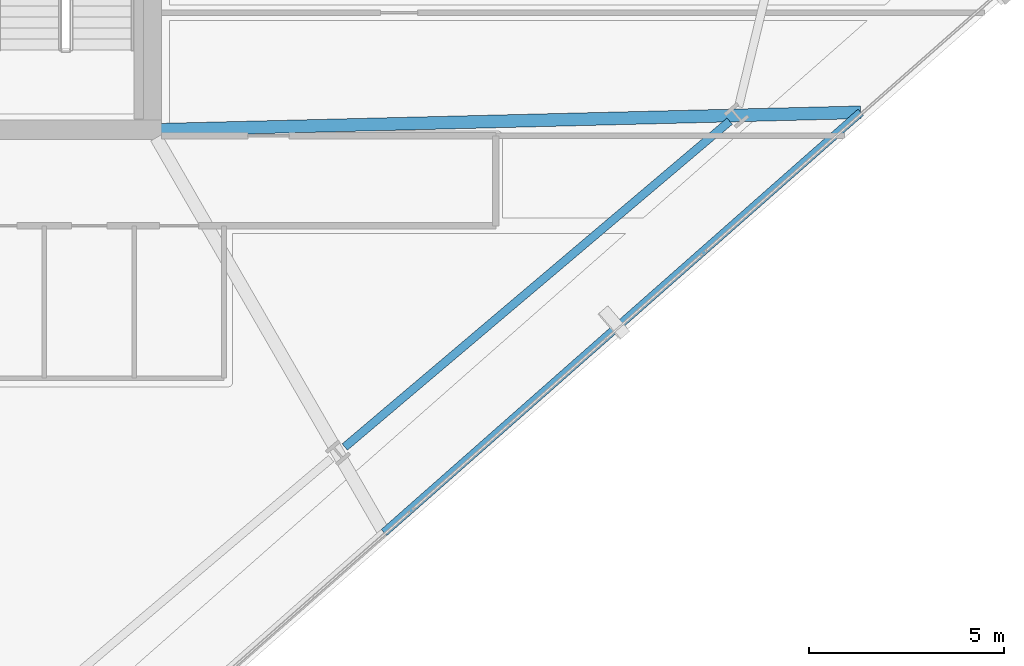
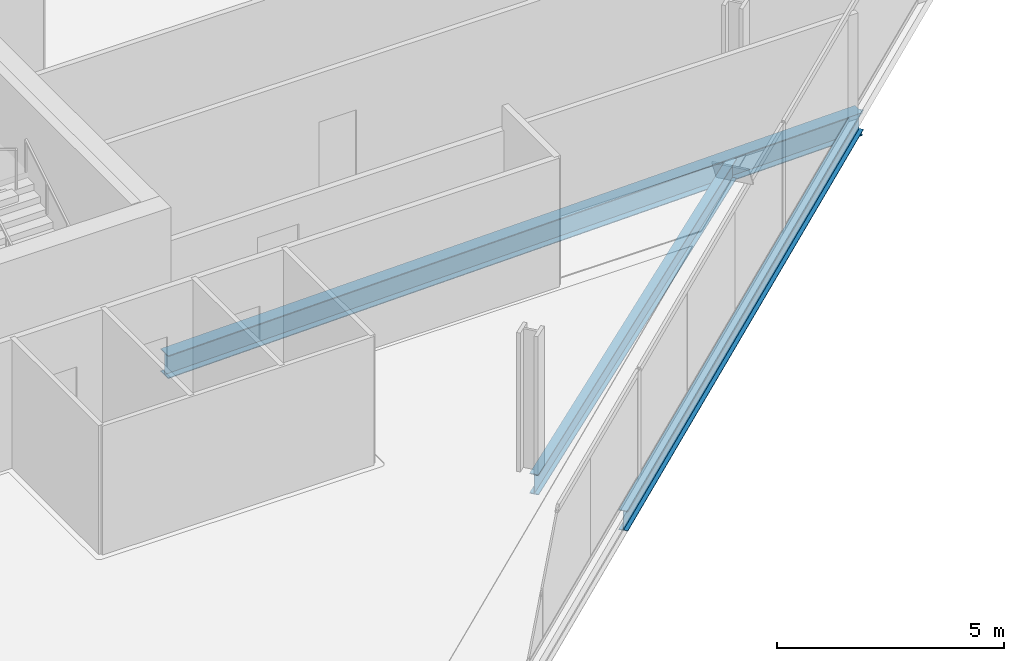
# One storey, part 10 of 34: 3 beams.
"""IFC4 building model written with IfcOpenShell, lengths in metres."""

import ifcopenshell
import ifcopenshell.guid

model = None  # the IFC model being written
_history = None  # IfcOwnerHistory: only IFC2X3 demands one
_inside = {}  # id of a spatial element -> (the spatial element, [elements in it])
_under = {}  # id of a project, library or spatial element -> (it, [spatial elements below it])
_declared = {}  # id of a project -> (the project, [libraries it declares])
_typed = {}  # id of a type object -> (the type object, [elements of that type])
_made_of = {}  # id of a material, layer set ... -> (it, [elements and type objects made of it])


def new_model(schema):
    """Start an empty IFC model of exactly this schema.

    Asked for "IFC4X3", IfcOpenShell would pick the latest addendum, in which some entities
    have other attributes; the version numbers below select the first issue.
    IFC2X3 requires an IfcOwnerHistory on every rooted entity: one is made here for all.
    """
    global model, _history
    if schema == "IFC4X3":
        model = ifcopenshell.file(schema_version=(4, 3, 0, 0))
    else:
        model = ifcopenshell.file(schema=schema)
    _inside.clear()
    _under.clear()
    _declared.clear()
    _typed.clear()
    _made_of.clear()
    _history = None
    if model.schema == "IFC2X3":
        org = make("IfcOrganization", Name="unknown")
        user = make(
            "IfcPersonAndOrganization",
            ThePerson=make("IfcPerson", FamilyName="unknown"),
            TheOrganization=org,
        )
        app = make(
            "IfcApplication",
            ApplicationDeveloper=org,
            Version="unknown",
            ApplicationFullName="unknown",
            ApplicationIdentifier="unknown",
        )
        _history = make(
            "IfcOwnerHistory",
            OwningUser=user,
            OwningApplication=app,
            ChangeAction="ADDED",
            CreationDate=0,
        )
    return model


def make(cls, **values):
    """One entity of the class cls with the attributes given. An attribute that is None is left unset."""
    return model.create_entity(
        cls, **{name: value for name, value in values.items() if value is not None}
    )


def rooted(cls, **values):
    """An entity with a GlobalId (a new one), such as an element, a storey or a relation."""
    return make(cls, GlobalId=ifcopenshell.guid.new(), OwnerHistory=_history, **values)


def si_unit(unit_type, name, prefix=None):
    """IfcSIUnit, for example si_unit("LENGTHUNIT", "METRE", prefix="MILLI")."""
    return make("IfcSIUnit", UnitType=unit_type, Prefix=prefix, Name=name)


def assignment(units):
    """IfcUnitAssignment: the units of a project."""
    return None if units is None else make("IfcUnitAssignment", Units=units)


def point(xyz):
    """IfcCartesianPoint."""
    return None if xyz is None else make("IfcCartesianPoint", Coordinates=xyz)


def direction(xyz):
    """IfcDirection."""
    return None if xyz is None else make("IfcDirection", DirectionRatios=xyz)


def frame(location, z_axis=None, x_axis=None):
    """IfcAxis2Placement3D, a coordinate frame: its origin and axes. An axis left out is left unset."""
    return make(
        "IfcAxis2Placement3D",
        Location=point(location),
        Axis=direction(z_axis),
        RefDirection=direction(x_axis),
    )


def frame_2d(location, x_axis=None):
    """IfcAxis2Placement2D, a coordinate frame in the plane: its origin and x axis."""
    return make(
        "IfcAxis2Placement2D", Location=point(location), RefDirection=direction(x_axis)
    )


def origin():
    """The frame at (0, 0, 0) with its axes left unset."""
    return frame((0.0, 0.0, 0.0))


def origin_2d():
    """The frame at (0, 0) in the plane with its x axis left unset."""
    return frame_2d((0.0, 0.0))


def place(relative_to, where):
    """IfcLocalPlacement: puts the frame where relative to a parent placement (None: the world)."""
    return make(
        "IfcLocalPlacement", PlacementRelTo=relative_to, RelativePlacement=where
    )


def context(
    kind, dimensions, precision=None, world=None, true_north=None, identifier=None
):
    """IfcGeometricRepresentationContext, for example the 3D "Model" context."""
    return make(
        "IfcGeometricRepresentationContext",
        ContextIdentifier=identifier,
        ContextType=kind,
        CoordinateSpaceDimension=dimensions,
        Precision=precision,
        WorldCoordinateSystem=world,
        TrueNorth=true_north,
    )


def subcontext(parent, identifier, kind, view, scale=None):
    """IfcGeometricRepresentationSubContext, for example "Body" below "Model"."""
    return make(
        "IfcGeometricRepresentationSubContext",
        ContextIdentifier=identifier,
        ContextType=kind,
        ParentContext=parent,
        TargetScale=scale,
        TargetView=view,
    )


def project(units=None, contexts=None):
    """IfcProject with its units and contexts."""
    return rooted(
        "IfcProject",
        Name="project",
        RepresentationContexts=contexts,
        UnitsInContext=assignment(units),
    )


def spatial(cls, under=None, at=None, **own):
    """A site, building, storey or space (cls), placed at a placement, below another one or the project."""
    s = rooted(cls, ObjectPlacement=at, **own)
    if under is not None:
        _under.setdefault(under.id(), (under, []))[1].append(s)
    return s


def profile(cls, at=None, kind="AREA", **sizes):
    """A parametric profile (cls). Its sizes go by their IFC names, for example OverallWidth=200.0."""
    return make(cls, ProfileType=kind, Position=at, **sizes)


def i_section(**sizes):
    """IfcIShapeProfileDef."""
    return profile("IfcIShapeProfileDef", **sizes)


def extrude(swept, where, along, depth):
    """IfcExtrudedAreaSolid: the profile swept, set in the frame where, extruded along a direction by depth."""
    return make(
        "IfcExtrudedAreaSolid",
        SweptArea=swept,
        Position=where,
        ExtrudedDirection=direction(along),
        Depth=depth,
    )


def shape(context_of_items, identifier, shape_type, items):
    """IfcShapeRepresentation: the items that make up one representation, for example the "Body"."""
    return make(
        "IfcShapeRepresentation",
        ContextOfItems=context_of_items,
        RepresentationIdentifier=identifier,
        RepresentationType=shape_type,
        Items=items,
    )


def material(Name=None, Category=None):
    """IfcMaterial."""
    return make("IfcMaterial", Name=Name, Category=Category)


def material_profile(
    of_material, cross_section, Name=None, Category=None, Priority=None
):
    """IfcMaterialProfile: a cross section and its material."""
    return make(
        "IfcMaterialProfile",
        Name=Name,
        Material=of_material,
        Profile=cross_section,
        Priority=Priority,
        Category=Category,
    )


def profile_set(profiles, Name=None, composite=None):
    """IfcMaterialProfileSet."""
    return make(
        "IfcMaterialProfileSet",
        Name=Name,
        MaterialProfiles=profiles,
        CompositeProfile=composite,
    )


def made_of(thing, what):
    """Note that an element or type object is made of a material, layer set ...; save() writes the relation."""
    if what is not None:
        _made_of.setdefault(what.id(), (what, []))[1].append(thing)
    return thing


def type_object(cls, material=None, **own):
    """A type object (cls), such as IfcWallType, which elements share."""
    return made_of(rooted(cls, **own), material)


def element(
    cls,
    number,
    at=None,
    inside=None,
    cuts=None,
    type_object=None,
    material=None,
    context=None,
    identifier="Body",
    shape_type=None,
    held_by="IfcProductDefinitionShape",
    body=None,
    shapes=None,
    **own,
):
    """One element of the class cls, such as IfcWall. Its Tag is "e" and its number.

    at: its placement. inside: the storey or other place that contains it. cuts: it is an
    opening in that element (IfcRelVoidsElement). A single representation is given by context,
    identifier, shape_type and body (its items); several are given by shapes. held_by: the class
    of the entity that holds the representations. save() writes the other relations.
    """
    e = rooted(cls, Tag="e%d" % number, ObjectPlacement=at, **own)
    if body is not None:
        shapes = [shape(context, identifier, shape_type, body)]
    if shapes is not None:
        e.Representation = make(held_by, Representations=shapes)
    if inside is not None:
        _inside.setdefault(inside.id(), (inside, []))[1].append(e)
    if cuts is not None:
        rooted(
            "IfcRelVoidsElement", RelatingBuildingElement=cuts, RelatedOpeningElement=e
        )
    if type_object is not None:
        _typed.setdefault(type_object.id(), (type_object, []))[1].append(e)
    return made_of(e, material)


def aggregate(whole, parts):
    """IfcRelAggregates: a whole, such as a stair, and the parts it consists of."""
    return rooted("IfcRelAggregates", RelatingObject=whole, RelatedObjects=parts)


def save(model, path):
    """Write the relations noted so far, then the file.

    IfcRelAggregates (storeys below a building ...), IfcRelContainedInSpatialStructure (elements
    in a storey), IfcRelDefinesByType, IfcRelAssociatesMaterial and IfcRelDeclares: one each for
    every whole, place, type object, material and project.
    """
    for whole, parts in _under.values():
        aggregate(whole, parts)
    for where, things in _inside.values():
        rooted(
            "IfcRelContainedInSpatialStructure",
            RelatedElements=things,
            RelatingStructure=where,
        )
    for kind, things in _typed.values():
        rooted("IfcRelDefinesByType", RelatedObjects=things, RelatingType=kind)
    for what, things in _made_of.values():
        rooted("IfcRelAssociatesMaterial", RelatedObjects=things, RelatingMaterial=what)
    for by, libraries in _declared.values():
        rooted("IfcRelDeclares", RelatingContext=by, RelatedDefinitions=libraries)
    model.write(path)


model = new_model("IFC4")

# Units and contexts
model_context = context("Model", 3, precision=1e-05, world=origin(), true_north=direction((0.0, 1.0)))
body_context = subcontext(model_context, "Body", "Model", "MODEL_VIEW")
ifc_project = project(units=[si_unit("LENGTHUNIT", "METRE"), si_unit("AREAUNIT", "SQUARE_METRE"), si_unit("VOLUMEUNIT", "CUBIC_METRE"), si_unit("PLANEANGLEUNIT", "RADIAN"), si_unit("MASSUNIT", "GRAM", prefix="KILO")], contexts=[model_context])

# Site, building, storey
site_placement = place(None, origin())
site = spatial("IfcSite", under=ifc_project, at=site_placement, CompositionType="ELEMENT")
building_placement = place(site_placement, origin())
building = spatial("IfcBuilding", under=site, at=building_placement, Name="Haldenkirk Collegiate Tower", CompositionType="ELEMENT")
storey_placement = place(building_placement, frame((0.0, 0.0, 166.949951171875)))
storey = spatial("IfcBuildingStorey", under=building, at=storey_placement, Name="L41", CompositionType="ELEMENT", Elevation=166.949951171875)

# Beams
ifc_material = material(Name="Steel ASTM A992 Grade 50", Category="steel")
ifc_material_profile_1 = material_profile(ifc_material, i_section(OverallWidth=0.324951171875, OverallDepth=0.615966796875, WebThickness=0.013916015625, FlangeThickness=0.021484375, at=origin_2d()), Name="W24X117")
ifc_profile_set_1 = profile_set([ifc_material_profile_1], Name="Steel ASTM A992 Grade 50")
beam_type_1 = type_object("IfcBeamType", Name="BM-GIRDER-W24X117", PredefinedType="BEAM", material=ifc_profile_set_1)
beam_1_placement = place(storey_placement, frame((63.132568359375, 18.451904296875, -0.597900390625), z_axis=(-0.999689423563, -0.024921003508, 0.0), x_axis=(0.024921003508, -0.999689423563, 0.0)))
element("IfcBeam", 1, at=beam_1_placement, inside=storey, type_object=beam_type_1, Name="L41 primary floor girder 07", PredefinedType="BEAM", context=body_context, shape_type="SweptSolid", body=[
    extrude(i_section(OverallWidth=0.324951171875, OverallDepth=0.615966796875, WebThickness=0.013916015625, FlangeThickness=0.021484375, at=origin_2d()), origin(), (0.0, 0.0, 1.0), 17.908203125),
])
ifc_material_profile_2 = material_profile(ifc_material, i_section(OverallWidth=0.2119140625, OverallDepth=0.5439453125, WebThickness=0.01318359375, FlangeThickness=0.021240234375, at=origin_2d()), Name="W21X83")
ifc_profile_set_2 = profile_set([ifc_material_profile_2], Name="Steel ASTM A992 Grade 50")
beam_type_2 = type_object("IfcBeamType", Name="BM-SPANDREL-W21X83", PredefinedType="SPANDREL", material=ifc_profile_set_2)
beam_2_placement = place(storey_placement, frame((49.937255859375, 9.89111328125, -0.56201171875), z_axis=(0.763233335078, 0.646122957514, 0.0), x_axis=(-0.646122957514, 0.763233335078, 0.0)))
element("IfcBeam", 2, at=beam_2_placement, inside=storey, type_object=beam_type_2, Name="L41 perimeter spandrel beam 03", PredefinedType="SPANDREL", context=body_context, shape_type="SweptSolid", body=[
    extrude(i_section(OverallWidth=0.2119140625, OverallDepth=0.5439453125, WebThickness=0.01318359375, FlangeThickness=0.021240234375, at=origin_2d()), origin(), (0.0, 0.0, 1.0), 12.898193359375),
])
beam_3_placement = place(storey_placement, frame((50.939453125, 7.702392578125, -0.56201171875), z_axis=(0.750116116271, 0.661306140989, 0.0), x_axis=(-0.661306140989, 0.750116116271, 0.0)))
element("IfcBeam", 3, at=beam_3_placement, inside=storey, type_object=beam_type_2, Name="L41 outer facade edge beam 1B", PredefinedType="SPANDREL", context=body_context, shape_type="SweptSolid", body=[
    extrude(i_section(OverallWidth=0.2119140625, OverallDepth=0.5439453125, WebThickness=0.01318359375, FlangeThickness=0.021240234375, at=origin_2d()), origin(), (0.0, 0.0, 1.0), 16.2548828125),
])

save(model, "model.ifc")
